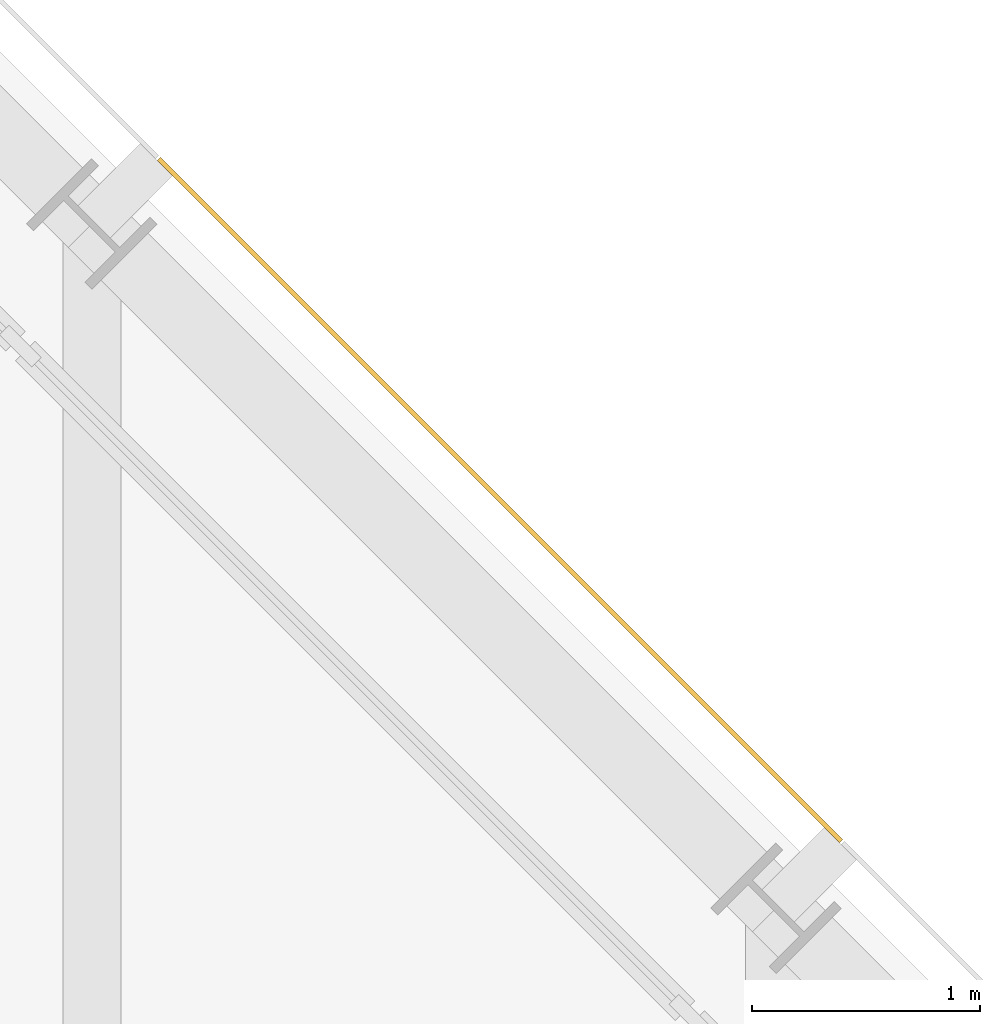
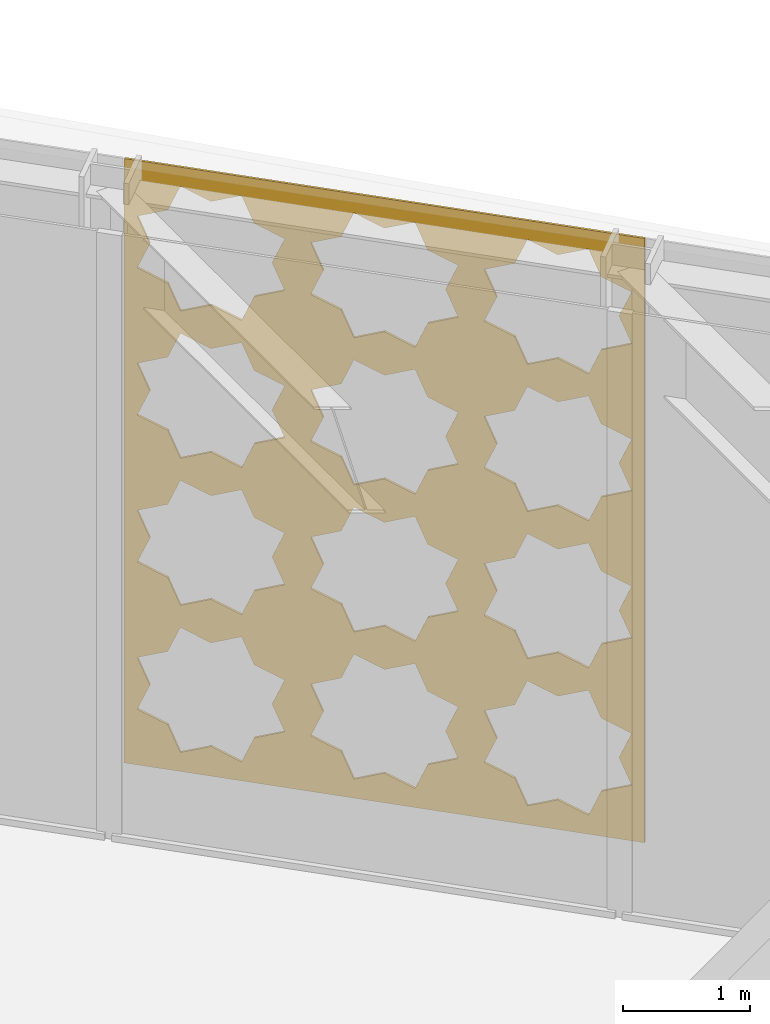
# One storey, part 30 of 30: 1 covering.
"""IFC4 building model written with IfcOpenShell, lengths in metres."""

from ifc_helpers import new_model, si_unit, direction, frame, origin, place, context, subcontext, project, spatial, polyline, outline, extrude, material, layer, layer_set, type_object, element, save


model = new_model("IFC4")

# Units and contexts
model_context = context("Model", 3, precision=1e-05, world=origin(), true_north=direction((0.0, 1.0)))
body_context = subcontext(model_context, "Body", "Model", "MODEL_VIEW")
ifc_project = project(units=[si_unit("LENGTHUNIT", "METRE"), si_unit("AREAUNIT", "SQUARE_METRE"), si_unit("VOLUMEUNIT", "CUBIC_METRE"), si_unit("PLANEANGLEUNIT", "RADIAN"), si_unit("MASSUNIT", "GRAM", prefix="KILO")], contexts=[model_context])

# Site, building, storey
site_placement = place(None, origin())
site = spatial("IfcSite", under=ifc_project, at=site_placement, CompositionType="ELEMENT")
building_placement = place(site_placement, origin())
building = spatial("IfcBuilding", under=site, at=building_placement, Name="Chuquiago Exchange Tower", CompositionType="ELEMENT")
storey_placement = place(building_placement, frame((0.0, 0.0, 306.0)))
storey = spatial("IfcBuildingStorey", under=building, at=storey_placement, Name="L68", CompositionType="ELEMENT", Elevation=306.0)

# Covering
ifc_material = material(Name="Anodised aluminium, pale", Category="aluminium")
ifc_layer = layer(ifc_material, 0.02001953125)
ifc_layer_set = layer_set([ifc_layer], Name="GC4 girih cladding panel 20")
covering_type = type_object("IfcCoveringType", Name="GC4 girih cladding panel 20", PredefinedType="CLADDING", material=ifc_layer_set)
covering_placement = place(storey_placement, frame((33.279296875, 39.286376953125, 0.0048828125), z_axis=(0.0, 0.0, 1.0), x_axis=(-0.707106781187, 0.707106781187, 0.0)))
element("IfcCovering", 1, at=covering_placement, inside=storey, type_object=covering_type, Name="Girih cladding panel L68 NE 5", PredefinedType="CLADDING", context=body_context, shape_type="SweptSolid", body=[
    extrude(outline(polyline([(0.0, 0.0), (4.232666015625, 0.0), (4.232666015625, 5.795166015625), (0.0, 5.795166015625), (0.0, 0.0)]), holes=[polyline([(1.2021484375, 0.78125), (1.304931640625, 1.029541015625), (1.056640625, 1.132568359375), (0.953857421875, 1.380859375), (0.70556640625, 1.278076171875), (0.45703125, 1.380859375), (0.354248046875, 1.132568359375), (0.10595703125, 1.029541015625), (0.208740234375, 0.78125), (0.10595703125, 0.532958984375), (0.354248046875, 0.429931640625), (0.45703125, 0.181640625), (0.705322265625, 0.284423828125), (0.953857421875, 0.181640625), (1.056640625, 0.429931640625), (1.304931640625, 0.532958984375), (1.2021484375, 0.78125)]), polyline([(2.613037109375, 0.78125), (2.7158203125, 1.029541015625), (2.467529296875, 1.132568359375), (2.36474609375, 1.380859375), (2.116455078125, 1.278076171875), (1.867919921875, 1.380859375), (1.76513671875, 1.132568359375), (1.516845703125, 1.029541015625), (1.61962890625, 0.78125), (1.516845703125, 0.532958984375), (1.76513671875, 0.429931640625), (1.867919921875, 0.181640625), (2.116455078125, 0.284423828125), (2.36474609375, 0.181640625), (2.467529296875, 0.429931640625), (2.7158203125, 0.532958984375), (2.613037109375, 0.78125)]), polyline([(4.02392578125, 0.78125), (4.126708984375, 1.029541015625), (3.87841796875, 1.132568359375), (3.775634765625, 1.380859375), (3.527099609375, 1.278076171875), (3.27880859375, 1.380859375), (3.176025390625, 1.132568359375), (2.927734375, 1.029541015625), (3.030517578125, 0.78125), (2.927734375, 0.532958984375), (3.176025390625, 0.429931640625), (3.27880859375, 0.181640625), (3.527099609375, 0.284423828125), (3.775634765625, 0.181640625), (3.87841796875, 0.429931640625), (4.126708984375, 0.532958984375), (4.02392578125, 0.78125)]), polyline([(1.2021484375, 2.192138671875), (1.304931640625, 2.4404296875), (1.056640625, 2.54345703125), (0.953857421875, 2.791748046875), (0.70556640625, 2.68896484375), (0.45703125, 2.791748046875), (0.354248046875, 2.54345703125), (0.10595703125, 2.4404296875), (0.208740234375, 2.192138671875), (0.10595703125, 1.94384765625), (0.354248046875, 1.8408203125), (0.45703125, 1.592529296875), (0.705322265625, 1.6953125), (0.953857421875, 1.592529296875), (1.056640625, 1.8408203125), (1.304931640625, 1.94384765625), (1.2021484375, 2.192138671875)]), polyline([(2.613037109375, 2.192138671875), (2.7158203125, 2.4404296875), (2.467529296875, 2.54345703125), (2.36474609375, 2.791748046875), (2.116455078125, 2.68896484375), (1.867919921875, 2.791748046875), (1.76513671875, 2.54345703125), (1.516845703125, 2.4404296875), (1.61962890625, 2.192138671875), (1.516845703125, 1.94384765625), (1.76513671875, 1.8408203125), (1.867919921875, 1.592529296875), (2.116455078125, 1.6953125), (2.36474609375, 1.592529296875), (2.467529296875, 1.8408203125), (2.7158203125, 1.94384765625), (2.613037109375, 2.192138671875)]), polyline([(4.02392578125, 2.192138671875), (4.126708984375, 2.4404296875), (3.87841796875, 2.54345703125), (3.775634765625, 2.791748046875), (3.527099609375, 2.68896484375), (3.27880859375, 2.791748046875), (3.176025390625, 2.54345703125), (2.927734375, 2.4404296875), (3.030517578125, 2.192138671875), (2.927734375, 1.94384765625), (3.176025390625, 1.8408203125), (3.27880859375, 1.592529296875), (3.527099609375, 1.6953125), (3.775634765625, 1.592529296875), (3.87841796875, 1.8408203125), (4.126708984375, 1.94384765625), (4.02392578125, 2.192138671875)]), polyline([(1.2021484375, 3.60302734375), (1.304931640625, 3.851318359375), (1.056640625, 3.954345703125), (0.953857421875, 4.20263671875), (0.70556640625, 4.099853515625), (0.45703125, 4.20263671875), (0.354248046875, 3.954345703125), (0.10595703125, 3.851318359375), (0.208740234375, 3.60302734375), (0.10595703125, 3.354736328125), (0.354248046875, 3.251708984375), (0.45703125, 3.00341796875), (0.705322265625, 3.106201171875), (0.953857421875, 3.00341796875), (1.056640625, 3.251708984375), (1.304931640625, 3.354736328125), (1.2021484375, 3.60302734375)]), polyline([(2.613037109375, 3.60302734375), (2.7158203125, 3.851318359375), (2.467529296875, 3.954345703125), (2.36474609375, 4.20263671875), (2.116455078125, 4.099853515625), (1.867919921875, 4.20263671875), (1.76513671875, 3.954345703125), (1.516845703125, 3.851318359375), (1.61962890625, 3.60302734375), (1.516845703125, 3.354736328125), (1.76513671875, 3.251708984375), (1.867919921875, 3.00341796875), (2.116455078125, 3.106201171875), (2.36474609375, 3.00341796875), (2.467529296875, 3.251708984375), (2.7158203125, 3.354736328125), (2.613037109375, 3.60302734375)]), polyline([(4.02392578125, 3.60302734375), (4.126708984375, 3.851318359375), (3.87841796875, 3.954345703125), (3.775634765625, 4.20263671875), (3.527099609375, 4.099853515625), (3.27880859375, 4.20263671875), (3.176025390625, 3.954345703125), (2.927734375, 3.851318359375), (3.030517578125, 3.60302734375), (2.927734375, 3.354736328125), (3.176025390625, 3.251708984375), (3.27880859375, 3.00341796875), (3.527099609375, 3.106201171875), (3.775634765625, 3.00341796875), (3.87841796875, 3.251708984375), (4.126708984375, 3.354736328125), (4.02392578125, 3.60302734375)]), polyline([(1.2021484375, 5.013916015625), (1.304931640625, 5.26220703125), (1.056640625, 5.365234375), (0.953857421875, 5.613525390625), (0.70556640625, 5.5107421875), (0.45703125, 5.613525390625), (0.354248046875, 5.365234375), (0.10595703125, 5.26220703125), (0.208740234375, 5.013916015625), (0.10595703125, 4.765625), (0.354248046875, 4.66259765625), (0.45703125, 4.414306640625), (0.705322265625, 4.517333984375), (0.953857421875, 4.414306640625), (1.056640625, 4.66259765625), (1.304931640625, 4.765625), (1.2021484375, 5.013916015625)]), polyline([(2.613037109375, 5.013916015625), (2.7158203125, 5.26220703125), (2.467529296875, 5.365234375), (2.36474609375, 5.613525390625), (2.116455078125, 5.5107421875), (1.867919921875, 5.613525390625), (1.76513671875, 5.365234375), (1.516845703125, 5.26220703125), (1.61962890625, 5.013916015625), (1.516845703125, 4.765625), (1.76513671875, 4.66259765625), (1.867919921875, 4.414306640625), (2.116455078125, 4.517333984375), (2.36474609375, 4.414306640625), (2.467529296875, 4.66259765625), (2.7158203125, 4.765625), (2.613037109375, 5.013916015625)]), polyline([(4.02392578125, 5.013916015625), (4.126708984375, 5.26220703125), (3.87841796875, 5.365234375), (3.775634765625, 5.613525390625), (3.527099609375, 5.5107421875), (3.27880859375, 5.613525390625), (3.176025390625, 5.365234375), (2.927734375, 5.26220703125), (3.030517578125, 5.013916015625), (2.927734375, 4.765625), (3.176025390625, 4.66259765625), (3.27880859375, 4.414306640625), (3.527099609375, 4.517333984375), (3.775634765625, 4.414306640625), (3.87841796875, 4.66259765625), (4.126708984375, 4.765625), (4.02392578125, 5.013916015625)])]), frame((0.0, 0.0, 0.0), z_axis=(0.0, -1.0, 0.0), x_axis=(1.0, 0.0, 0.0)), (0.0, 0.0, 1.0), 0.02001953125),
])

save(model, "model.ifc")
